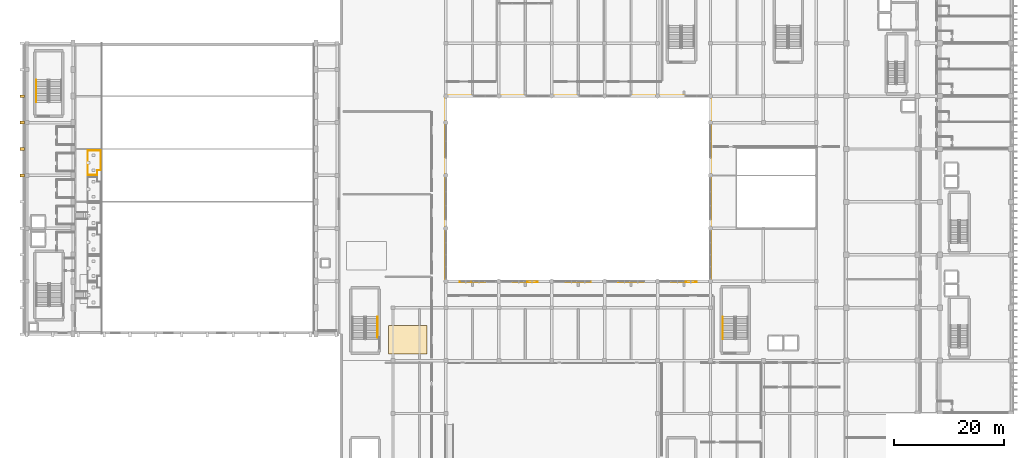
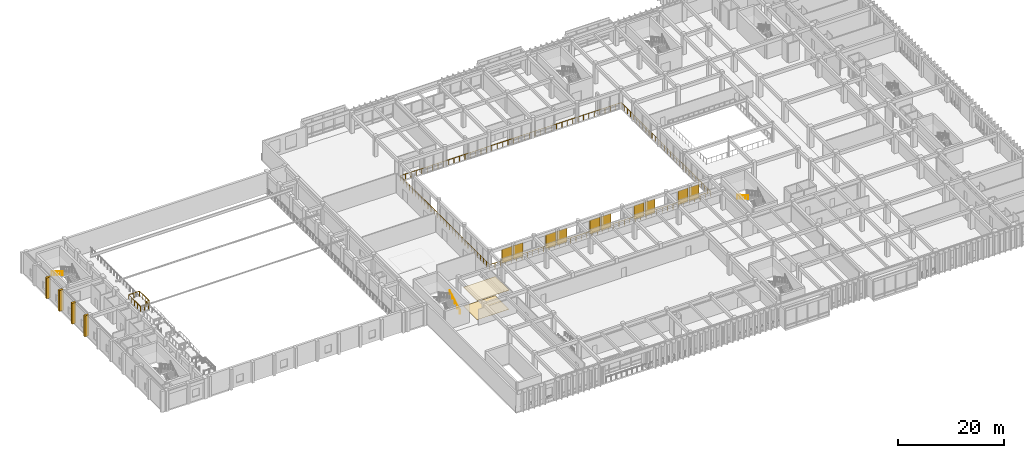
# One storey, part 121 of 133: 10 shading devices, 6 coverings, 5 railings.
"""IFC4 building model written with IfcOpenShell, lengths in metres."""

from ifc_helpers import new_model, si_unit, direction, frame, origin, origin_2d, place, context, subcontext, project, spatial, polyline, rectangle, circle, outline, extrude, material, layer, layer_set, type_object, element, save


model = new_model("IFC4")

# Units and contexts
model_context = context("Model", 3, precision=1e-05, world=origin(), true_north=direction((0.0, 1.0)))
body_context = subcontext(model_context, "Body", "Model", "MODEL_VIEW")
ifc_project = project(units=[si_unit("LENGTHUNIT", "METRE"), si_unit("AREAUNIT", "SQUARE_METRE"), si_unit("VOLUMEUNIT", "CUBIC_METRE"), si_unit("PLANEANGLEUNIT", "RADIAN"), si_unit("MASSUNIT", "GRAM", prefix="KILO")], contexts=[model_context])

# Site, building, storey
site_placement = place(None, origin())
site = spatial("IfcSite", under=ifc_project, at=site_placement, CompositionType="ELEMENT")
building_placement = place(site_placement, origin())
building = spatial("IfcBuilding", under=site, at=building_placement, Name="Nakhvara Creek Congress Hotel", CompositionType="ELEMENT")
storey_placement = place(building_placement, frame((0.0, 0.0, 11.39990234375)))
storey = spatial("IfcBuildingStorey", under=building, at=storey_placement, Name="L02", CompositionType="ELEMENT", Elevation=11.39990234375)

# Coverings
ifc_material_1 = material(Name="Honed pale Omani limestone architectural cladding", Category="masonry")
ifc_layer_1 = layer(ifc_material_1, 0.449951171875)
ifc_layer_set_1 = layer_set([ifc_layer_1], Name="Honed pale Omani limestone architectural cladding")
covering_type_1 = type_object("IfcCoveringType", Name="COV-BUTT-850", PredefinedType="CLADDING", material=ifc_layer_set_1)
for number, where, z_axis, x_axis, name in (
    (1, (-0.06494140625, 62.39990234375, 0.0), (0.0, 0.0, 1.0), (0.0, 1.0, 0.0), "Gothic Limestone Buttress Pier CF03-0490"),
    (2, (-0.06494140625, 67.199951171875, 0.0), (0.0, 0.0, 1.0), (0.0, 1.0, 0.0), "Gothic Limestone Buttress Pier CF03-0491"),
    (3, (-0.06494140625, 72.0, 0.0), (0.0, 0.0, 1.0), (0.0, 1.0, 0.0), "Gothic Limestone Buttress Pier CF03-0492"),
    (4, (-0.06494140625, 76.800048828125, 0.0), (0.0, 0.0, 1.0), (0.0, 1.0, 0.0), "Gothic Limestone Buttress Pier CF03-0493"),
):
    element("IfcCovering", number, at=place(storey_placement, frame(where, z_axis=z_axis, x_axis=x_axis)), inside=storey, type_object=covering_type_1, Name=name, PredefinedType="CLADDING", context=body_context, shape_type="SweptSolid", body=[
        extrude(rectangle(XDim=0.47998046875, YDim=0.85009765625, at=origin_2d()), origin(), (0.0, 0.0, 1.0), 4.800048828125),
    ])
ifc_material_2 = material(Name="Acoustic mineral-fibre and gypsum ceiling board")
ifc_layer_2 = layer(ifc_material_2, 0.0400390625)
ifc_layer_set_2 = layer_set([ifc_layer_2], Name="Acoustic mineral-fibre and gypsum ceiling board")
covering_type_2 = type_object("IfcCoveringType", Name="COV-CEIL-AC", PredefinedType="CEILING", material=ifc_layer_set_2)
covering_1_placement = place(storey_placement, frame((0.0, 0.0, 4.385009765625)))
element("IfcCovering", 5, at=covering_1_placement, inside=storey, type_object=covering_type_2, Name="Acoustic Ceiling L02-SM-01", PredefinedType="CEILING", context=body_context, shape_type="SweptSolid", body=[
    extrude(outline(polyline([(66.39990234375, 30.0), (73.39990234375, 30.0), (73.39990234375, 35.199951171875), (66.39990234375, 35.199951171875), (66.39990234375, 30.0)])), origin(), (0.0, 0.0, 1.0), 0.03515625),
])
ifc_material_3 = material(Name="Honed limestone and terrazzo acoustic floor finish", Category="masonry")
ifc_layer_3 = layer(ifc_material_3, 0.044921875)
ifc_layer_set_3 = layer_set([ifc_layer_3], Name="Honed limestone and terrazzo acoustic floor finish")
covering_type_3 = type_object("IfcCoveringType", Name="COV-FLR-TER", PredefinedType="FLOORING", material=ifc_layer_set_3)
covering_2_placement = place(storey_placement, origin())
element("IfcCovering", 6, at=covering_2_placement, inside=storey, type_object=covering_type_3, Name="Floor Finish L02-SM-01", PredefinedType="FLOORING", context=body_context, shape_type="SweptSolid", body=[
    extrude(outline(polyline([(66.39990234375, 30.0), (73.39990234375, 30.0), (73.39990234375, 35.199951171875), (66.39990234375, 35.199951171875), (66.39990234375, 30.0)])), origin(), (0.0, 0.0, 1.0), 0.030029296875),
])

# Railings
ifc_material_4 = material(Name="Bronze-anodised aluminium and laminated safety glass balustrade", Category="aluminium")
railing_type_1 = type_object("IfcRailingType", Name="RL-BALUS-1200", PredefinedType="BALUSTRADE", material=ifc_material_4)
railing_1_placement = place(storey_placement, frame((11.81005859375, 62.4599609375, 1.35009765625)))
element("IfcRailing", 7, at=railing_1_placement, inside=storey, type_object=railing_type_1, Name="Stand Tier Balustrade L02-06", PredefinedType="BALUSTRADE", context=body_context, shape_type="SweptSolid", body=[
    extrude(circle(Radius=0.02392578125, at=origin_2d()), frame((0.0146484375, 0.0, 1.17578125), z_axis=(1.0, 0.0, 0.0), x_axis=(0.0, 1.0, 0.0)), (0.0, 0.0, 1.0), 1.690673828125),
    extrude(circle(Radius=0.02392578125, at=origin_2d()), frame((1.719970703125, 0.0146484375, 1.17578125), z_axis=(0.0, 1.0, 0.0), x_axis=(-1.0, 0.0, 0.0)), (0.0, 0.0, 1.0), 0.870849609375),
    extrude(circle(Radius=0.02392578125, at=origin_2d()), frame((1.734619140625, 0.900146484375, 1.17578125), z_axis=(1.0, 0.0, 0.0), x_axis=(0.0, 1.0, 0.0)), (0.0, 0.0, 1.0), 0.62060546875),
    extrude(circle(Radius=0.02392578125, at=origin_2d()), frame((2.369873046875, 0.914794921875, 1.17578125), z_axis=(0.0, 1.0, 0.0), x_axis=(-1.0, 0.0, 0.0)), (0.0, 0.0, 1.0), 3.550537109375),
    extrude(circle(Radius=0.02392578125, at=origin_2d()), frame((2.355224609375, 4.47998046875, 1.17578125), z_axis=(-1.0, 0.0, 0.0), x_axis=(0.0, -1.0, 0.0)), (0.0, 0.0, 1.0), 2.340576171875),
    extrude(circle(Radius=0.02392578125, at=origin_2d()), frame((0.0, 4.46533203125, 1.17578125), z_axis=(0.0, -1.0, 0.0), x_axis=(1.0, 0.0, 0.0)), (0.0, 0.0, 1.0), 4.45068359375),
    extrude(circle(Radius=0.02099609375, at=origin_2d()), origin(), (0.0, 0.0, 1.0), 1.1806640625),
    extrude(circle(Radius=0.02099609375, at=origin_2d()), frame((0.85986328125, 0.0, 0.0)), (0.0, 0.0, 1.0), 1.1806640625),
    extrude(circle(Radius=0.02099609375, at=origin_2d()), frame((1.719970703125, 0.0, 0.0)), (0.0, 0.0, 1.0), 1.1806640625),
    extrude(circle(Radius=0.02099609375, at=origin_2d()), frame((1.719970703125, 0.900146484375, 0.0)), (0.0, 0.0, 1.0), 1.1806640625),
    extrude(circle(Radius=0.02099609375, at=origin_2d()), frame((2.369873046875, 0.900146484375, 0.0)), (0.0, 0.0, 1.0), 1.1806640625),
    extrude(circle(Radius=0.02099609375, at=origin_2d()), frame((2.369873046875, 2.093505859375, 0.0)), (0.0, 0.0, 1.0), 1.1806640625),
    extrude(circle(Radius=0.02099609375, at=origin_2d()), frame((2.369873046875, 3.28662109375, 0.0)), (0.0, 0.0, 1.0), 1.1806640625),
    extrude(circle(Radius=0.02099609375, at=origin_2d()), frame((2.369873046875, 4.47998046875, 0.0)), (0.0, 0.0, 1.0), 1.1806640625),
    extrude(circle(Radius=0.02099609375, at=origin_2d()), frame((1.18505859375, 4.47998046875, 0.0)), (0.0, 0.0, 1.0), 1.1806640625),
    extrude(circle(Radius=0.02099609375, at=origin_2d()), frame((0.0, 4.47998046875, 0.0)), (0.0, 0.0, 1.0), 1.1806640625),
    extrude(circle(Radius=0.02099609375, at=origin_2d()), frame((0.0, 3.35986328125, 0.0)), (0.0, 0.0, 1.0), 1.1806640625),
    extrude(circle(Radius=0.02099609375, at=origin_2d()), frame((0.0, 2.239990234375, 0.0)), (0.0, 0.0, 1.0), 1.1806640625),
    extrude(circle(Radius=0.02099609375, at=origin_2d()), frame((0.0, 1.1201171875, 0.0)), (0.0, 0.0, 1.0), 1.1806640625),
])
ifc_material_5 = material(Name="Brushed stainless steel 316L", Category="steel")
railing_type_2 = type_object("IfcRailingType", Name="RL-GUARD-1200", PredefinedType="GUARDRAIL", material=ifc_material_5)
railing_2_placement = place(storey_placement, frame((76.719970703125, 43.1201171875, 0.0)))
element("IfcRailing", 8, at=railing_2_placement, inside=storey, type_object=railing_type_2, Name="Cloister Courtyard Perimeter Guardrail L02", PredefinedType="GUARDRAIL", context=body_context, shape_type="SweptSolid", body=[
    extrude(circle(Radius=0.02392578125, at=origin_2d()), frame((0.0146484375, 0.0, 1.17578125), z_axis=(1.0, 0.0, 0.0), x_axis=(0.0, 1.0, 0.0)), (0.0, 0.0, 1.0), 48.130615234375),
    extrude(circle(Radius=0.02392578125, at=origin_2d()), frame((48.159912109375, 0.0146484375, 1.17578125), z_axis=(0.0, 1.0, 0.0), x_axis=(-1.0, 0.0, 0.0)), (0.0, 0.0, 1.0), 33.73046875),
    extrude(circle(Radius=0.02392578125, at=origin_2d()), frame((48.145263671875, 33.759765625, 1.17578125), z_axis=(-1.0, 0.0, 0.0), x_axis=(0.0, -1.0, 0.0)), (0.0, 0.0, 1.0), 48.130615234375),
    extrude(circle(Radius=0.02392578125, at=origin_2d()), frame((0.0, 33.7451171875, 1.17578125), z_axis=(0.0, -1.0, 0.0), x_axis=(1.0, 0.0, 0.0)), (0.0, 0.0, 1.0), 33.73046875),
    extrude(circle(Radius=0.02099609375, at=origin_2d()), origin(), (0.0, 0.0, 1.0), 1.1806640625),
    extrude(circle(Radius=0.02099609375, at=origin_2d()), frame((1.174560546875, 0.0, 0.0)), (0.0, 0.0, 1.0), 1.1806640625),
    extrude(circle(Radius=0.02099609375, at=origin_2d()), frame((2.349365234375, 0.0, 0.0)), (0.0, 0.0, 1.0), 1.1806640625),
    extrude(circle(Radius=0.02099609375, at=origin_2d()), frame((3.52392578125, 0.0, 0.0)), (0.0, 0.0, 1.0), 1.1806640625),
    extrude(circle(Radius=0.02099609375, at=origin_2d()), frame((4.698486328125, 0.0, 0.0)), (0.0, 0.0, 1.0), 1.1806640625),
    extrude(circle(Radius=0.02099609375, at=origin_2d()), frame((5.873046875, 0.0, 0.0)), (0.0, 0.0, 1.0), 1.1806640625),
    extrude(circle(Radius=0.02099609375, at=origin_2d()), frame((7.0478515625, 0.0, 0.0)), (0.0, 0.0, 1.0), 1.1806640625),
    extrude(circle(Radius=0.02099609375, at=origin_2d()), frame((8.222412109375, 0.0, 0.0)), (0.0, 0.0, 1.0), 1.1806640625),
    extrude(circle(Radius=0.02099609375, at=origin_2d()), frame((9.39697265625, 0.0, 0.0)), (0.0, 0.0, 1.0), 1.1806640625),
    extrude(circle(Radius=0.02099609375, at=origin_2d()), frame((10.57177734375, 0.0, 0.0)), (0.0, 0.0, 1.0), 1.1806640625),
    extrude(circle(Radius=0.02099609375, at=origin_2d()), frame((11.746337890625, 0.0, 0.0)), (0.0, 0.0, 1.0), 1.1806640625),
    extrude(circle(Radius=0.02099609375, at=origin_2d()), frame((12.9208984375, 0.0, 0.0)), (0.0, 0.0, 1.0), 1.1806640625),
    extrude(circle(Radius=0.02099609375, at=origin_2d()), frame((14.095703125, 0.0, 0.0)), (0.0, 0.0, 1.0), 1.1806640625),
    extrude(circle(Radius=0.02099609375, at=origin_2d()), frame((15.270263671875, 0.0, 0.0)), (0.0, 0.0, 1.0), 1.1806640625),
    extrude(circle(Radius=0.02099609375, at=origin_2d()), frame((16.44482421875, 0.0, 0.0)), (0.0, 0.0, 1.0), 1.1806640625),
    extrude(circle(Radius=0.02099609375, at=origin_2d()), frame((17.619384765625, 0.0, 0.0)), (0.0, 0.0, 1.0), 1.1806640625),
    extrude(circle(Radius=0.02099609375, at=origin_2d()), frame((18.794189453125, 0.0, 0.0)), (0.0, 0.0, 1.0), 1.1806640625),
    extrude(circle(Radius=0.02099609375, at=origin_2d()), frame((19.96875, 0.0, 0.0)), (0.0, 0.0, 1.0), 1.1806640625),
    extrude(circle(Radius=0.02099609375, at=origin_2d()), frame((21.143310546875, 0.0, 0.0)), (0.0, 0.0, 1.0), 1.1806640625),
    extrude(circle(Radius=0.02099609375, at=origin_2d()), frame((22.318115234375, 0.0, 0.0)), (0.0, 0.0, 1.0), 1.1806640625),
    extrude(circle(Radius=0.02099609375, at=origin_2d()), frame((23.49267578125, 0.0, 0.0)), (0.0, 0.0, 1.0), 1.1806640625),
    extrude(circle(Radius=0.02099609375, at=origin_2d()), frame((24.667236328125, 0.0, 0.0)), (0.0, 0.0, 1.0), 1.1806640625),
    extrude(circle(Radius=0.02099609375, at=origin_2d()), frame((25.841796875, 0.0, 0.0)), (0.0, 0.0, 1.0), 1.1806640625),
    extrude(circle(Radius=0.02099609375, at=origin_2d()), frame((27.0166015625, 0.0, 0.0)), (0.0, 0.0, 1.0), 1.1806640625),
    extrude(circle(Radius=0.02099609375, at=origin_2d()), frame((28.191162109375, 0.0, 0.0)), (0.0, 0.0, 1.0), 1.1806640625),
    extrude(circle(Radius=0.02099609375, at=origin_2d()), frame((29.36572265625, 0.0, 0.0)), (0.0, 0.0, 1.0), 1.1806640625),
    extrude(circle(Radius=0.02099609375, at=origin_2d()), frame((30.54052734375, 0.0, 0.0)), (0.0, 0.0, 1.0), 1.1806640625),
    extrude(circle(Radius=0.02099609375, at=origin_2d()), frame((31.715087890625, 0.0, 0.0)), (0.0, 0.0, 1.0), 1.1806640625),
    extrude(circle(Radius=0.02099609375, at=origin_2d()), frame((32.8896484375, 0.0, 0.0)), (0.0, 0.0, 1.0), 1.1806640625),
    extrude(circle(Radius=0.02099609375, at=origin_2d()), frame((34.064208984375, 0.0, 0.0)), (0.0, 0.0, 1.0), 1.1806640625),
    extrude(circle(Radius=0.02099609375, at=origin_2d()), frame((35.239013671875, 0.0, 0.0)), (0.0, 0.0, 1.0), 1.1806640625),
    extrude(circle(Radius=0.02099609375, at=origin_2d()), frame((36.41357421875, 0.0, 0.0)), (0.0, 0.0, 1.0), 1.1806640625),
    extrude(circle(Radius=0.02099609375, at=origin_2d()), frame((37.588134765625, 0.0, 0.0)), (0.0, 0.0, 1.0), 1.1806640625),
    extrude(circle(Radius=0.02099609375, at=origin_2d()), frame((38.762939453125, 0.0, 0.0)), (0.0, 0.0, 1.0), 1.1806640625),
    extrude(circle(Radius=0.02099609375, at=origin_2d()), frame((39.9375, 0.0, 0.0)), (0.0, 0.0, 1.0), 1.1806640625),
    extrude(circle(Radius=0.02099609375, at=origin_2d()), frame((41.112060546875, 0.0, 0.0)), (0.0, 0.0, 1.0), 1.1806640625),
    extrude(circle(Radius=0.02099609375, at=origin_2d()), frame((42.286865234375, 0.0, 0.0)), (0.0, 0.0, 1.0), 1.1806640625),
    extrude(circle(Radius=0.02099609375, at=origin_2d()), frame((43.46142578125, 0.0, 0.0)), (0.0, 0.0, 1.0), 1.1806640625),
    extrude(circle(Radius=0.02099609375, at=origin_2d()), frame((44.635986328125, 0.0, 0.0)), (0.0, 0.0, 1.0), 1.1806640625),
    extrude(circle(Radius=0.02099609375, at=origin_2d()), frame((45.810546875, 0.0, 0.0)), (0.0, 0.0, 1.0), 1.1806640625),
    extrude(circle(Radius=0.02099609375, at=origin_2d()), frame((46.9853515625, 0.0, 0.0)), (0.0, 0.0, 1.0), 1.1806640625),
    extrude(circle(Radius=0.02099609375, at=origin_2d()), frame((48.159912109375, 0.0, 0.0)), (0.0, 0.0, 1.0), 1.1806640625),
    extrude(circle(Radius=0.02099609375, at=origin_2d()), frame((48.159912109375, 1.1640625, 0.0)), (0.0, 0.0, 1.0), 1.1806640625),
    extrude(circle(Radius=0.02099609375, at=origin_2d()), frame((48.159912109375, 2.328369140625, 0.0)), (0.0, 0.0, 1.0), 1.1806640625),
    extrude(circle(Radius=0.02099609375, at=origin_2d()), frame((48.159912109375, 3.492431640625, 0.0)), (0.0, 0.0, 1.0), 1.1806640625),
    extrude(circle(Radius=0.02099609375, at=origin_2d()), frame((48.159912109375, 4.656494140625, 0.0)), (0.0, 0.0, 1.0), 1.1806640625),
    extrude(circle(Radius=0.02099609375, at=origin_2d()), frame((48.159912109375, 5.820556640625, 0.0)), (0.0, 0.0, 1.0), 1.1806640625),
    extrude(circle(Radius=0.02099609375, at=origin_2d()), frame((48.159912109375, 6.98486328125, 0.0)), (0.0, 0.0, 1.0), 1.1806640625),
    extrude(circle(Radius=0.02099609375, at=origin_2d()), frame((48.159912109375, 8.14892578125, 0.0)), (0.0, 0.0, 1.0), 1.1806640625),
    extrude(circle(Radius=0.02099609375, at=origin_2d()), frame((48.159912109375, 9.31298828125, 0.0)), (0.0, 0.0, 1.0), 1.1806640625),
    extrude(circle(Radius=0.02099609375, at=origin_2d()), frame((48.159912109375, 10.47705078125, 0.0)), (0.0, 0.0, 1.0), 1.1806640625),
    extrude(circle(Radius=0.02099609375, at=origin_2d()), frame((48.159912109375, 11.641357421875, 0.0)), (0.0, 0.0, 1.0), 1.1806640625),
    extrude(circle(Radius=0.02099609375, at=origin_2d()), frame((48.159912109375, 12.805419921875, 0.0)), (0.0, 0.0, 1.0), 1.1806640625),
    extrude(circle(Radius=0.02099609375, at=origin_2d()), frame((48.159912109375, 13.969482421875, 0.0)), (0.0, 0.0, 1.0), 1.1806640625),
    extrude(circle(Radius=0.02099609375, at=origin_2d()), frame((48.159912109375, 15.1337890625, 0.0)), (0.0, 0.0, 1.0), 1.1806640625),
    extrude(circle(Radius=0.02099609375, at=origin_2d()), frame((48.159912109375, 16.2978515625, 0.0)), (0.0, 0.0, 1.0), 1.1806640625),
    extrude(circle(Radius=0.02099609375, at=origin_2d()), frame((48.159912109375, 17.4619140625, 0.0)), (0.0, 0.0, 1.0), 1.1806640625),
    extrude(circle(Radius=0.02099609375, at=origin_2d()), frame((48.159912109375, 18.6259765625, 0.0)), (0.0, 0.0, 1.0), 1.1806640625),
    extrude(circle(Radius=0.02099609375, at=origin_2d()), frame((48.159912109375, 19.790283203125, 0.0)), (0.0, 0.0, 1.0), 1.1806640625),
    extrude(circle(Radius=0.02099609375, at=origin_2d()), frame((48.159912109375, 20.954345703125, 0.0)), (0.0, 0.0, 1.0), 1.1806640625),
    extrude(circle(Radius=0.02099609375, at=origin_2d()), frame((48.159912109375, 22.118408203125, 0.0)), (0.0, 0.0, 1.0), 1.1806640625),
    extrude(circle(Radius=0.02099609375, at=origin_2d()), frame((48.159912109375, 23.28271484375, 0.0)), (0.0, 0.0, 1.0), 1.1806640625),
    extrude(circle(Radius=0.02099609375, at=origin_2d()), frame((48.159912109375, 24.44677734375, 0.0)), (0.0, 0.0, 1.0), 1.1806640625),
    extrude(circle(Radius=0.02099609375, at=origin_2d()), frame((48.159912109375, 25.61083984375, 0.0)), (0.0, 0.0, 1.0), 1.1806640625),
    extrude(circle(Radius=0.02099609375, at=origin_2d()), frame((48.159912109375, 26.77490234375, 0.0)), (0.0, 0.0, 1.0), 1.1806640625),
    extrude(circle(Radius=0.02099609375, at=origin_2d()), frame((48.159912109375, 27.939208984375, 0.0)), (0.0, 0.0, 1.0), 1.1806640625),
    extrude(circle(Radius=0.02099609375, at=origin_2d()), frame((48.159912109375, 29.103271484375, 0.0)), (0.0, 0.0, 1.0), 1.1806640625),
    extrude(circle(Radius=0.02099609375, at=origin_2d()), frame((48.159912109375, 30.267333984375, 0.0)), (0.0, 0.0, 1.0), 1.1806640625),
    extrude(circle(Radius=0.02099609375, at=origin_2d()), frame((48.159912109375, 31.431396484375, 0.0)), (0.0, 0.0, 1.0), 1.1806640625),
    extrude(circle(Radius=0.02099609375, at=origin_2d()), frame((48.159912109375, 32.595703125, 0.0)), (0.0, 0.0, 1.0), 1.1806640625),
    extrude(circle(Radius=0.02099609375, at=origin_2d()), frame((48.159912109375, 33.759765625, 0.0)), (0.0, 0.0, 1.0), 1.1806640625),
    extrude(circle(Radius=0.02099609375, at=origin_2d()), frame((46.9853515625, 33.759765625, 0.0)), (0.0, 0.0, 1.0), 1.1806640625),
    extrude(circle(Radius=0.02099609375, at=origin_2d()), frame((45.810546875, 33.759765625, 0.0)), (0.0, 0.0, 1.0), 1.1806640625),
    extrude(circle(Radius=0.02099609375, at=origin_2d()), frame((44.635986328125, 33.759765625, 0.0)), (0.0, 0.0, 1.0), 1.1806640625),
    extrude(circle(Radius=0.02099609375, at=origin_2d()), frame((43.46142578125, 33.759765625, 0.0)), (0.0, 0.0, 1.0), 1.1806640625),
    extrude(circle(Radius=0.02099609375, at=origin_2d()), frame((42.286865234375, 33.759765625, 0.0)), (0.0, 0.0, 1.0), 1.1806640625),
    extrude(circle(Radius=0.02099609375, at=origin_2d()), frame((41.112060546875, 33.759765625, 0.0)), (0.0, 0.0, 1.0), 1.1806640625),
    extrude(circle(Radius=0.02099609375, at=origin_2d()), frame((39.9375, 33.759765625, 0.0)), (0.0, 0.0, 1.0), 1.1806640625),
    extrude(circle(Radius=0.02099609375, at=origin_2d()), frame((38.762939453125, 33.759765625, 0.0)), (0.0, 0.0, 1.0), 1.1806640625),
    extrude(circle(Radius=0.02099609375, at=origin_2d()), frame((37.588134765625, 33.759765625, 0.0)), (0.0, 0.0, 1.0), 1.1806640625),
    extrude(circle(Radius=0.02099609375, at=origin_2d()), frame((36.41357421875, 33.759765625, 0.0)), (0.0, 0.0, 1.0), 1.1806640625),
    extrude(circle(Radius=0.02099609375, at=origin_2d()), frame((35.239013671875, 33.759765625, 0.0)), (0.0, 0.0, 1.0), 1.1806640625),
    extrude(circle(Radius=0.02099609375, at=origin_2d()), frame((34.064208984375, 33.759765625, 0.0)), (0.0, 0.0, 1.0), 1.1806640625),
    extrude(circle(Radius=0.02099609375, at=origin_2d()), frame((32.8896484375, 33.759765625, 0.0)), (0.0, 0.0, 1.0), 1.1806640625),
    extrude(circle(Radius=0.02099609375, at=origin_2d()), frame((31.715087890625, 33.759765625, 0.0)), (0.0, 0.0, 1.0), 1.1806640625),
    extrude(circle(Radius=0.02099609375, at=origin_2d()), frame((30.54052734375, 33.759765625, 0.0)), (0.0, 0.0, 1.0), 1.1806640625),
    extrude(circle(Radius=0.02099609375, at=origin_2d()), frame((29.36572265625, 33.759765625, 0.0)), (0.0, 0.0, 1.0), 1.1806640625),
    extrude(circle(Radius=0.02099609375, at=origin_2d()), frame((28.191162109375, 33.759765625, 0.0)), (0.0, 0.0, 1.0), 1.1806640625),
    extrude(circle(Radius=0.02099609375, at=origin_2d()), frame((27.0166015625, 33.759765625, 0.0)), (0.0, 0.0, 1.0), 1.1806640625),
    extrude(circle(Radius=0.02099609375, at=origin_2d()), frame((25.841796875, 33.759765625, 0.0)), (0.0, 0.0, 1.0), 1.1806640625),
    extrude(circle(Radius=0.02099609375, at=origin_2d()), frame((24.667236328125, 33.759765625, 0.0)), (0.0, 0.0, 1.0), 1.1806640625),
    extrude(circle(Radius=0.02099609375, at=origin_2d()), frame((23.49267578125, 33.759765625, 0.0)), (0.0, 0.0, 1.0), 1.1806640625),
    extrude(circle(Radius=0.02099609375, at=origin_2d()), frame((22.318115234375, 33.759765625, 0.0)), (0.0, 0.0, 1.0), 1.1806640625),
    extrude(circle(Radius=0.02099609375, at=origin_2d()), frame((21.143310546875, 33.759765625, 0.0)), (0.0, 0.0, 1.0), 1.1806640625),
    extrude(circle(Radius=0.02099609375, at=origin_2d()), frame((19.96875, 33.759765625, 0.0)), (0.0, 0.0, 1.0), 1.1806640625),
    extrude(circle(Radius=0.02099609375, at=origin_2d()), frame((18.794189453125, 33.759765625, 0.0)), (0.0, 0.0, 1.0), 1.1806640625),
    extrude(circle(Radius=0.02099609375, at=origin_2d()), frame((17.619384765625, 33.759765625, 0.0)), (0.0, 0.0, 1.0), 1.1806640625),
    extrude(circle(Radius=0.02099609375, at=origin_2d()), frame((16.44482421875, 33.759765625, 0.0)), (0.0, 0.0, 1.0), 1.1806640625),
    extrude(circle(Radius=0.02099609375, at=origin_2d()), frame((15.270263671875, 33.759765625, 0.0)), (0.0, 0.0, 1.0), 1.1806640625),
    extrude(circle(Radius=0.02099609375, at=origin_2d()), frame((14.095703125, 33.759765625, 0.0)), (0.0, 0.0, 1.0), 1.1806640625),
    extrude(circle(Radius=0.02099609375, at=origin_2d()), frame((12.9208984375, 33.759765625, 0.0)), (0.0, 0.0, 1.0), 1.1806640625),
    extrude(circle(Radius=0.02099609375, at=origin_2d()), frame((11.746337890625, 33.759765625, 0.0)), (0.0, 0.0, 1.0), 1.1806640625),
    extrude(circle(Radius=0.02099609375, at=origin_2d()), frame((10.57177734375, 33.759765625, 0.0)), (0.0, 0.0, 1.0), 1.1806640625),
    extrude(circle(Radius=0.02099609375, at=origin_2d()), frame((9.39697265625, 33.759765625, 0.0)), (0.0, 0.0, 1.0), 1.1806640625),
    extrude(circle(Radius=0.02099609375, at=origin_2d()), frame((8.222412109375, 33.759765625, 0.0)), (0.0, 0.0, 1.0), 1.1806640625),
    extrude(circle(Radius=0.02099609375, at=origin_2d()), frame((7.0478515625, 33.759765625, 0.0)), (0.0, 0.0, 1.0), 1.1806640625),
    extrude(circle(Radius=0.02099609375, at=origin_2d()), frame((5.873046875, 33.759765625, 0.0)), (0.0, 0.0, 1.0), 1.1806640625),
    extrude(circle(Radius=0.02099609375, at=origin_2d()), frame((4.698486328125, 33.759765625, 0.0)), (0.0, 0.0, 1.0), 1.1806640625),
    extrude(circle(Radius=0.02099609375, at=origin_2d()), frame((3.52392578125, 33.759765625, 0.0)), (0.0, 0.0, 1.0), 1.1806640625),
    extrude(circle(Radius=0.02099609375, at=origin_2d()), frame((2.349365234375, 33.759765625, 0.0)), (0.0, 0.0, 1.0), 1.1806640625),
    extrude(circle(Radius=0.02099609375, at=origin_2d()), frame((1.174560546875, 33.759765625, 0.0)), (0.0, 0.0, 1.0), 1.1806640625),
    extrude(circle(Radius=0.02099609375, at=origin_2d()), frame((0.0, 33.759765625, 0.0)), (0.0, 0.0, 1.0), 1.1806640625),
    extrude(circle(Radius=0.02099609375, at=origin_2d()), frame((0.0, 32.595703125, 0.0)), (0.0, 0.0, 1.0), 1.1806640625),
    extrude(circle(Radius=0.02099609375, at=origin_2d()), frame((0.0, 31.431396484375, 0.0)), (0.0, 0.0, 1.0), 1.1806640625),
    extrude(circle(Radius=0.02099609375, at=origin_2d()), frame((0.0, 30.267333984375, 0.0)), (0.0, 0.0, 1.0), 1.1806640625),
    extrude(circle(Radius=0.02099609375, at=origin_2d()), frame((0.0, 29.103271484375, 0.0)), (0.0, 0.0, 1.0), 1.1806640625),
    extrude(circle(Radius=0.02099609375, at=origin_2d()), frame((0.0, 27.939208984375, 0.0)), (0.0, 0.0, 1.0), 1.1806640625),
    extrude(circle(Radius=0.02099609375, at=origin_2d()), frame((0.0, 26.77490234375, 0.0)), (0.0, 0.0, 1.0), 1.1806640625),
    extrude(circle(Radius=0.02099609375, at=origin_2d()), frame((0.0, 25.61083984375, 0.0)), (0.0, 0.0, 1.0), 1.1806640625),
    extrude(circle(Radius=0.02099609375, at=origin_2d()), frame((0.0, 24.44677734375, 0.0)), (0.0, 0.0, 1.0), 1.1806640625),
    extrude(circle(Radius=0.02099609375, at=origin_2d()), frame((0.0, 23.28271484375, 0.0)), (0.0, 0.0, 1.0), 1.1806640625),
    extrude(circle(Radius=0.02099609375, at=origin_2d()), frame((0.0, 22.118408203125, 0.0)), (0.0, 0.0, 1.0), 1.1806640625),
    extrude(circle(Radius=0.02099609375, at=origin_2d()), frame((0.0, 20.954345703125, 0.0)), (0.0, 0.0, 1.0), 1.1806640625),
    extrude(circle(Radius=0.02099609375, at=origin_2d()), frame((0.0, 19.790283203125, 0.0)), (0.0, 0.0, 1.0), 1.1806640625),
    extrude(circle(Radius=0.02099609375, at=origin_2d()), frame((0.0, 18.6259765625, 0.0)), (0.0, 0.0, 1.0), 1.1806640625),
    extrude(circle(Radius=0.02099609375, at=origin_2d()), frame((0.0, 17.4619140625, 0.0)), (0.0, 0.0, 1.0), 1.1806640625),
    extrude(circle(Radius=0.02099609375, at=origin_2d()), frame((0.0, 16.2978515625, 0.0)), (0.0, 0.0, 1.0), 1.1806640625),
    extrude(circle(Radius=0.02099609375, at=origin_2d()), frame((0.0, 15.1337890625, 0.0)), (0.0, 0.0, 1.0), 1.1806640625),
    extrude(circle(Radius=0.02099609375, at=origin_2d()), frame((0.0, 13.969482421875, 0.0)), (0.0, 0.0, 1.0), 1.1806640625),
    extrude(circle(Radius=0.02099609375, at=origin_2d()), frame((0.0, 12.805419921875, 0.0)), (0.0, 0.0, 1.0), 1.1806640625),
    extrude(circle(Radius=0.02099609375, at=origin_2d()), frame((0.0, 11.641357421875, 0.0)), (0.0, 0.0, 1.0), 1.1806640625),
    extrude(circle(Radius=0.02099609375, at=origin_2d()), frame((0.0, 10.47705078125, 0.0)), (0.0, 0.0, 1.0), 1.1806640625),
    extrude(circle(Radius=0.02099609375, at=origin_2d()), frame((0.0, 9.31298828125, 0.0)), (0.0, 0.0, 1.0), 1.1806640625),
    extrude(circle(Radius=0.02099609375, at=origin_2d()), frame((0.0, 8.14892578125, 0.0)), (0.0, 0.0, 1.0), 1.1806640625),
    extrude(circle(Radius=0.02099609375, at=origin_2d()), frame((0.0, 6.98486328125, 0.0)), (0.0, 0.0, 1.0), 1.1806640625),
    extrude(circle(Radius=0.02099609375, at=origin_2d()), frame((0.0, 5.820556640625, 0.0)), (0.0, 0.0, 1.0), 1.1806640625),
    extrude(circle(Radius=0.02099609375, at=origin_2d()), frame((0.0, 4.656494140625, 0.0)), (0.0, 0.0, 1.0), 1.1806640625),
    extrude(circle(Radius=0.02099609375, at=origin_2d()), frame((0.0, 3.492431640625, 0.0)), (0.0, 0.0, 1.0), 1.1806640625),
    extrude(circle(Radius=0.02099609375, at=origin_2d()), frame((0.0, 2.328369140625, 0.0)), (0.0, 0.0, 1.0), 1.1806640625),
    extrude(circle(Radius=0.02099609375, at=origin_2d()), frame((0.0, 1.1640625, 0.0)), (0.0, 0.0, 1.0), 1.1806640625),
])
railing_type_3 = type_object("IfcRailingType", Name="RL-HAND-900", PredefinedType="HANDRAIL", material=ifc_material_5)
for number, where, name in (
    (9, (127.02490234375, 36.77490234375, 2.571533203125), "L02 ST06 stair handrail 2"),
    (10, (2.445068359375, 79.77490234375, 2.571533203125), "L02 ST07 stair handrail 2"),
):
    element("IfcRailing", number, at=place(storey_placement, frame(where)), inside=storey, type_object=railing_type_3, Name=name, PredefinedType="HANDRAIL", context=body_context, shape_type="SweptSolid", body=[
        extrude(circle(Radius=0.02392578125, at=origin_2d()), frame((0.0, -0.0126953125, 0.88330078125), z_axis=(0.0, -0.861742646415, 0.507345652736), x_axis=(1.0, 0.0, 0.0)), (0.0, 0.0, 1.0), 4.72265625),
        extrude(circle(Radius=0.02099609375, at=origin_2d()), origin(), (0.0, 0.0, 1.0), 0.880615234375),
        extrude(circle(Radius=0.02099609375, at=origin_2d()), frame((0.0, -1.023681640625, 0.602783203125)), (0.0, 0.0, 1.0), 0.880615234375),
        extrude(circle(Radius=0.02099609375, at=origin_2d()), frame((0.0, -2.04736328125, 1.20556640625)), (0.0, 0.0, 1.0), 0.880615234375),
        extrude(circle(Radius=0.02099609375, at=origin_2d()), frame((0.0, -3.0712890625, 1.80810546875)), (0.0, 0.0, 1.0), 0.880615234375),
        extrude(circle(Radius=0.02099609375, at=origin_2d()), frame((0.0, -4.094970703125, 2.410888671875)), (0.0, 0.0, 1.0), 0.880615234375),
    ])
railing_3_placement = place(storey_placement, frame((64.405029296875, 32.9951171875, 0.343017578125)))
element("IfcRailing", 11, at=railing_3_placement, inside=storey, type_object=railing_type_3, Name="L02 ST13 stair handrail 1", PredefinedType="HANDRAIL", context=body_context, shape_type="SweptSolid", body=[
    extrude(circle(Radius=0.02392578125, at=origin_2d()), frame((0.0, 0.0126953125, 0.88330078125), z_axis=(0.0, 0.860328540156, 0.509739936627), x_axis=(-1.0, 0.0, 0.0)), (0.0, 0.0, 1.0), 4.364013671875),
    extrude(circle(Radius=0.02099609375, at=origin_2d()), origin(), (0.0, 0.0, 1.0), 0.880615234375),
    extrude(circle(Radius=0.02099609375, at=origin_2d()), frame((0.0, 0.94482421875, 0.559814453125)), (0.0, 0.0, 1.0), 0.880615234375),
    extrude(circle(Radius=0.02099609375, at=origin_2d()), frame((0.0, 1.889892578125, 1.11962890625)), (0.0, 0.0, 1.0), 0.880615234375),
    extrude(circle(Radius=0.02099609375, at=origin_2d()), frame((0.0, 2.8349609375, 1.6796875)), (0.0, 0.0, 1.0), 0.880615234375),
    extrude(circle(Radius=0.02099609375, at=origin_2d()), frame((0.0, 3.77978515625, 2.239501953125)), (0.0, 0.0, 1.0), 0.880615234375),
])

# Shading devices
ifc_material_6 = material(Name="Champagne-bronze anodised aluminium mashrabiya", Category="aluminium")
shading_device_type = type_object("IfcShadingDeviceType", Name="SHD-SCR-2400X3200", PredefinedType="USERDEFINED", material=ifc_material_6)
for number, where, z_axis, x_axis, name in (
    (12, (80.39990234375, 43.050048828125, 0.60009765625), (0.0, 0.0, 1.0), (1.0, 0.0, 0.0), "Quatrefoil Mashrabiya Screen 011"),
    (13, (82.800048828125, 43.050048828125, 0.60009765625), (0.0, 0.0, 1.0), (1.0, 0.0, 0.0), "Quatrefoil Mashrabiya Screen 012"),
    (14, (90.0, 43.050048828125, 0.60009765625), (0.0, 0.0, 1.0), (1.0, 0.0, 0.0), "Quatrefoil Mashrabiya Screen 013"),
    (15, (92.39990234375, 43.050048828125, 0.60009765625), (0.0, 0.0, 1.0), (1.0, 0.0, 0.0), "Quatrefoil Mashrabiya Screen 014"),
    (16, (99.60009765625, 43.050048828125, 0.60009765625), (0.0, 0.0, 1.0), (1.0, 0.0, 0.0), "Quatrefoil Mashrabiya Screen 015"),
    (17, (102.0, 43.050048828125, 0.60009765625), (0.0, 0.0, 1.0), (1.0, 0.0, 0.0), "Quatrefoil Mashrabiya Screen 016"),
    (18, (109.199951171875, 43.050048828125, 0.60009765625), (0.0, 0.0, 1.0), (1.0, 0.0, 0.0), "Quatrefoil Mashrabiya Screen 017"),
    (19, (111.60009765625, 43.050048828125, 0.60009765625), (0.0, 0.0, 1.0), (1.0, 0.0, 0.0), "Quatrefoil Mashrabiya Screen 018"),
    (20, (118.800048828125, 43.050048828125, 0.60009765625), (0.0, 0.0, 1.0), (1.0, 0.0, 0.0), "Quatrefoil Mashrabiya Screen 019"),
    (21, (121.199951171875, 43.050048828125, 0.60009765625), (0.0, 0.0, 1.0), (1.0, 0.0, 0.0), "Quatrefoil Mashrabiya Screen 020"),
):
    element("IfcShadingDevice", number, at=place(storey_placement, frame(where, z_axis=z_axis, x_axis=x_axis)), inside=storey, type_object=shading_device_type, Name=name, ObjectType="SCREEN", PredefinedType="USERDEFINED", context=body_context, shape_type="SweptSolid", body=[
        extrude(rectangle(XDim=2.199951171875, YDim=0.06005859375, at=origin_2d()), origin(), (0.0, 0.0, 1.0), 3.199951171875),
    ])

save(model, "model.ifc")
